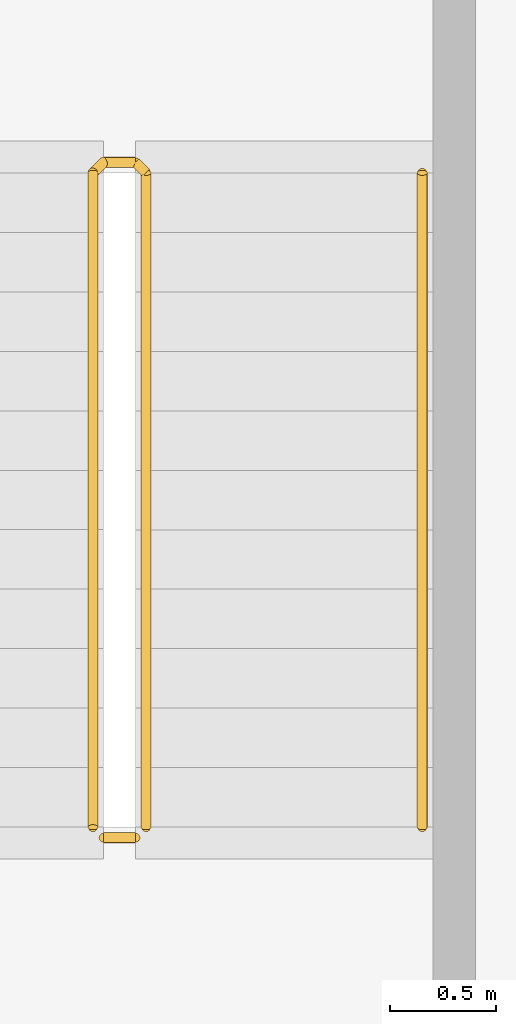
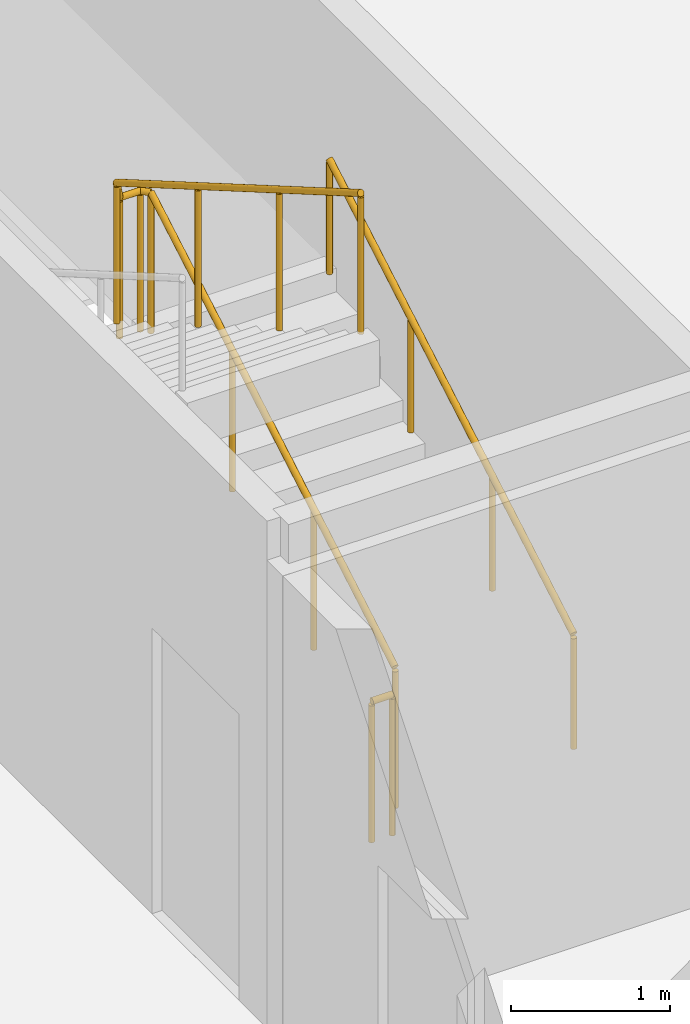
# One storey, part 24 of 25: 3 railings.
"""IFC4 building model written with IfcOpenShell, lengths in metres."""

from ifc_helpers import new_model, si_unit, direction, frame, origin, origin_2d, place, context, subcontext, project, spatial, circle, extrude, material, type_object, element, save


model = new_model("IFC4")

# Units and contexts
model_context = context("Model", 3, precision=1e-05, world=origin(), true_north=direction((0.0, 1.0)))
body_context = subcontext(model_context, "Body", "Model", "MODEL_VIEW")
ifc_project = project(units=[si_unit("LENGTHUNIT", "METRE"), si_unit("AREAUNIT", "SQUARE_METRE"), si_unit("VOLUMEUNIT", "CUBIC_METRE"), si_unit("PLANEANGLEUNIT", "RADIAN"), si_unit("MASSUNIT", "GRAM", prefix="KILO")], contexts=[model_context])

# Site, building, storey
site_placement = place(None, origin())
site = spatial("IfcSite", under=ifc_project, at=site_placement, CompositionType="ELEMENT")
building_placement = place(site_placement, origin())
building = spatial("IfcBuilding", under=site, at=building_placement, Name="Kheshtan School and Residences Tower", CompositionType="ELEMENT")
storey_placement = place(building_placement, frame((0.0, 0.0, 109.699951171875)))
storey = spatial("IfcBuildingStorey", under=building, at=storey_placement, Name="L25", CompositionType="ELEMENT", Elevation=109.699951171875)

# Railings
ifc_material_1 = material(Name="Stainless steel balustrade", Category="steel")
railing_type_1 = type_object("IfcRailingType", Name="Stair guard 1100", PredefinedType="GUARDRAIL", material=ifc_material_1)
railing_1_placement = place(storey_placement, frame((35.0, 80.89990234375, 0.16259765625)))
element("IfcRailing", 1, at=railing_1_placement, inside=storey, type_object=railing_type_1, Name="L25 ST3 stair guard 1", PredefinedType="GUARDRAIL", context=body_context, shape_type="SweptSolid", body=[
    extrude(circle(Radius=0.02392578125, at=origin_2d()), frame((0.0, 0.0, 1.076171875), z_axis=(0.0, 0.864920483161, 0.501908913857), x_axis=(-1.0, 0.0, 0.0)), (0.0, 0.0, 1.0), 3.56103515625),
    extrude(circle(Radius=0.02392578125, at=origin_2d()), frame((0.0, 3.080078125, 2.86328125), z_axis=(-0.707106781187, 0.707106781187, 0.0), x_axis=(-0.707106781187, -0.707106781187, 0.0)), (0.0, 0.0, 1.0), 0.07080078125),
    extrude(circle(Radius=0.02392578125, at=origin_2d()), frame((-0.050048828125, 3.130126953125, 2.86328125), z_axis=(-1.0, 0.0, 0.0), x_axis=(0.0, -1.0, 0.0)), (0.0, 0.0, 1.0), 0.14990234375),
    extrude(circle(Radius=0.02392578125, at=origin_2d()), frame((-0.199951171875, 3.130126953125, 2.86328125), z_axis=(-0.282227285176, -0.282227285176, 0.916894497205), x_axis=(0.707106781187, -0.707106781187, 0.0)), (0.0, 0.0, 1.0), 0.17724609375),
    extrude(circle(Radius=0.02392578125, at=origin_2d()), frame((-0.25, 3.080078125, 3.02587890625), z_axis=(0.0, -0.864890721111, 0.501960198159), x_axis=(1.0, 0.0, 0.0)), (0.0, 0.0, 1.0), 3.561279296875),
    extrude(circle(Radius=0.02099609375, at=origin_2d()), origin(), (0.0, 0.0, 1.0), 1.052001953125),
    extrude(circle(Radius=0.02099609375, at=origin_2d()), frame((0.0, 1.026611328125, 0.595703125)), (0.0, 0.0, 1.0), 1.052001953125),
    extrude(circle(Radius=0.02099609375, at=origin_2d()), frame((0.0, 2.053466796875, 1.191650390625)), (0.0, 0.0, 1.0), 1.052001953125),
    extrude(circle(Radius=0.02099609375, at=origin_2d()), frame((0.0, 3.080078125, 1.787353515625)), (0.0, 0.0, 1.0), 1.052001953125),
    extrude(circle(Radius=0.02099609375, at=origin_2d()), frame((-0.050048828125, 3.130126953125, 1.787353515625)), (0.0, 0.0, 1.0), 1.052001953125),
    extrude(circle(Radius=0.02099609375, at=origin_2d()), frame((-0.199951171875, 3.130126953125, 1.787353515625)), (0.0, 0.0, 1.0), 1.052001953125),
    extrude(circle(Radius=0.02099609375, at=origin_2d()), frame((-0.25, 3.080078125, 1.949951171875)), (0.0, 0.0, 1.0), 1.052001953125),
    extrude(circle(Radius=0.02099609375, at=origin_2d()), frame((-0.25, 2.053466796875, 2.5458984375)), (0.0, 0.0, 1.0), 1.052001953125),
    extrude(circle(Radius=0.02099609375, at=origin_2d()), frame((-0.25, 1.026611328125, 3.1416015625)), (0.0, 0.0, 1.0), 1.052001953125),
    extrude(circle(Radius=0.02099609375, at=origin_2d()), frame((-0.25, 0.0, 3.737548828125)), (0.0, 0.0, 1.0), 1.052001953125),
])
railing_2_placement = place(storey_placement, frame((34.949951171875, 80.85009765625, 0.0)))
element("IfcRailing", 2, at=railing_2_placement, inside=storey, type_object=railing_type_1, Name="L25 ST3 stair guard 2", PredefinedType="GUARDRAIL", context=body_context, shape_type="SweptSolid", body=[
    extrude(circle(Radius=0.02392578125, at=origin_2d()), frame((0.0, 0.0, 1.076171875), z_axis=(-1.0, 0.0, 0.0), x_axis=(0.0, -1.0, 0.0)), (0.0, 0.0, 1.0), 0.14990234375),
    extrude(circle(Radius=0.02099609375, at=origin_2d()), origin(), (0.0, 0.0, 1.0), 1.052001953125),
    extrude(circle(Radius=0.02099609375, at=origin_2d()), frame((-0.14990234375, 0.0, 0.0)), (0.0, 0.0, 1.0), 1.052001953125),
])
ifc_material_2 = material(Name="Stainless steel handrail", Category="steel")
railing_type_2 = type_object("IfcRailingType", Name="Stair handrail 900", PredefinedType="HANDRAIL", material=ifc_material_2)
railing_3_placement = place(storey_placement, frame((36.300048828125, 80.89990234375, 0.16259765625)))
element("IfcRailing", 3, at=railing_3_placement, inside=storey, type_object=railing_type_2, Name="L25 ST3 stair handrail 1", PredefinedType="HANDRAIL", context=body_context, shape_type="SweptSolid", body=[
    extrude(circle(Radius=0.02392578125, at=origin_2d()), frame((0.0, 0.0, 0.8759765625), z_axis=(0.0, 0.864920483161, 0.501908913857), x_axis=(-1.0, 0.0, 0.0)), (0.0, 0.0, 1.0), 3.56103515625),
    extrude(circle(Radius=0.02099609375, at=origin_2d()), origin(), (0.0, 0.0, 1.0), 0.851806640625),
    extrude(circle(Radius=0.02099609375, at=origin_2d()), frame((0.0, 1.026611328125, 0.595703125)), (0.0, 0.0, 1.0), 0.851806640625),
    extrude(circle(Radius=0.02099609375, at=origin_2d()), frame((0.0, 2.053466796875, 1.191650390625)), (0.0, 0.0, 1.0), 0.851806640625),
    extrude(circle(Radius=0.02099609375, at=origin_2d()), frame((0.0, 3.080078125, 1.787353515625)), (0.0, 0.0, 1.0), 0.851806640625),
])

save(model, "model.ifc")
